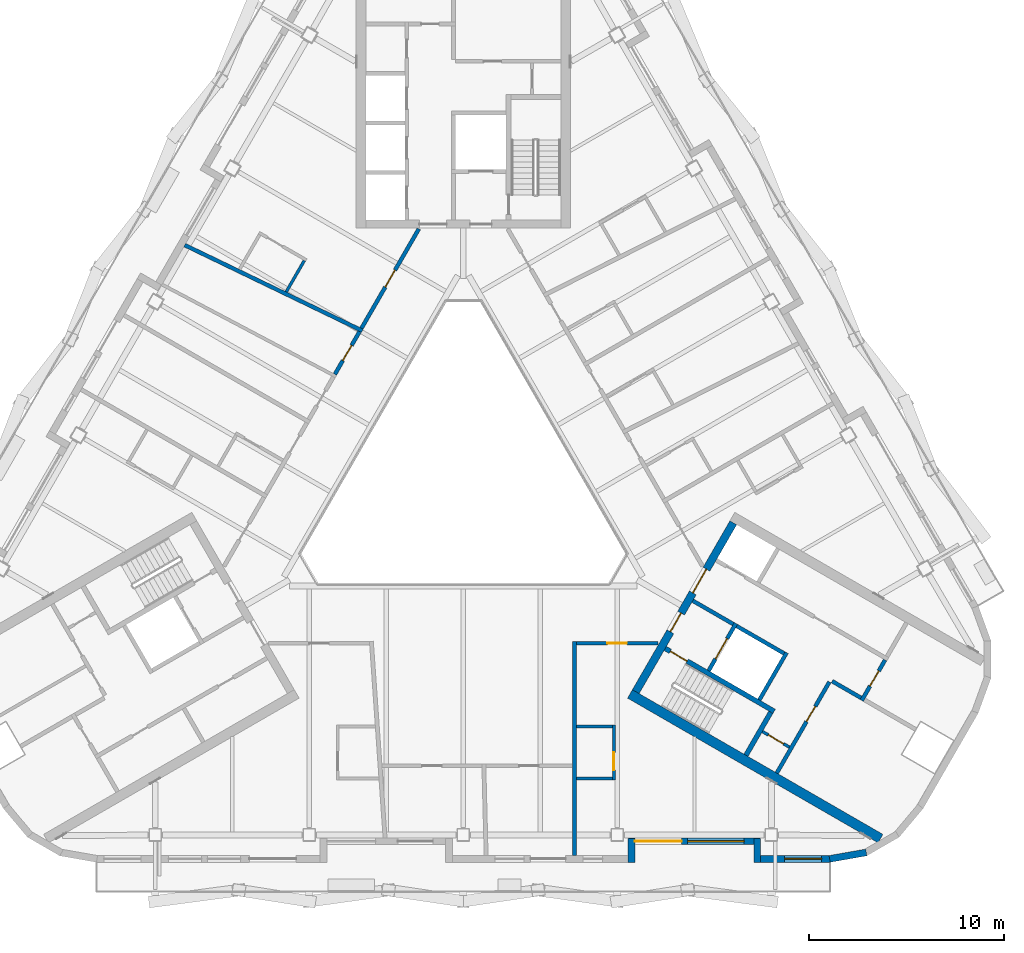
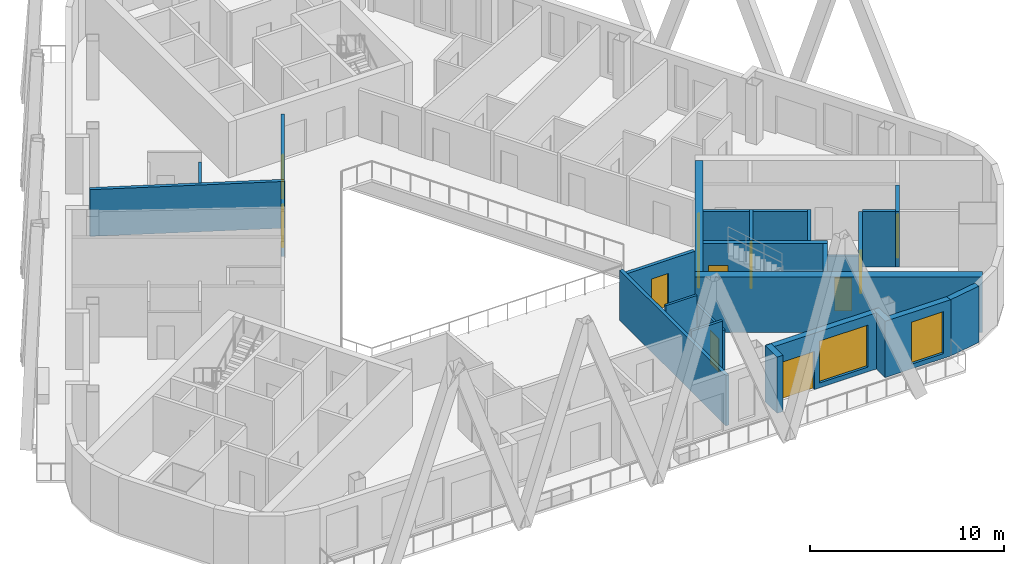
# One storey, part 7 of 18: 26 walls, 12 doors, 2 windows, 14 openings.
"""IFC4 building model written with IfcOpenShell, lengths in metres."""

from ifc_helpers import new_model, si_unit, direction, frame, frame_2d, origin, place, context, subcontext, project, spatial, rectangle, extrude, material, layer, layer_set, type_object, element, fill, save


model = new_model("IFC4")

# Units and contexts
model_context = context("Model", 3, precision=1e-05, world=origin(), true_north=direction((0.0, 1.0)))
body_context = subcontext(model_context, "Body", "Model", "MODEL_VIEW")
ifc_project = project(units=[si_unit("LENGTHUNIT", "METRE"), si_unit("AREAUNIT", "SQUARE_METRE"), si_unit("VOLUMEUNIT", "CUBIC_METRE"), si_unit("PLANEANGLEUNIT", "RADIAN"), si_unit("MASSUNIT", "GRAM", prefix="KILO")], contexts=[model_context])

# Site, building, storey
site_placement = place(None, origin())
site = spatial("IfcSite", under=ifc_project, at=site_placement, CompositionType="ELEMENT")
building_placement = place(site_placement, origin())
building = spatial("IfcBuilding", under=site, at=building_placement, Name="Apuvela Tower Hotel", CompositionType="ELEMENT")
storey_placement = place(building_placement, frame((0.0, 0.0, 246.699951171875)))
storey = spatial("IfcBuildingStorey", under=building, at=storey_placement, Name="L60", CompositionType="ELEMENT", Elevation=246.699951171875)

# Wall, openings, doors
ifc_material_1 = material(Name="Concrete C50/60", Category="concrete")
ifc_layer_1 = layer(ifc_material_1, 0.39990234375)
ifc_layer_set_1 = layer_set([ifc_layer_1], Name="COR-WALL-CORE-400")
wall_type_1 = type_object("IfcWallType", Name="COR-WALL-CORE-400", PredefinedType="SHEAR", material=ifc_layer_set_1)
wall_1_placement = place(storey_placement, frame((8.844970703125, -10.880126953125, 0.0), z_axis=(0.0, 0.0, 1.0), x_axis=(0.500004234368, 0.866022959057, 0.0)))
wall_1 = element("IfcWall", 1, at=wall_1_placement, inside=storey, type_object=wall_type_1, Name="Core wall SE", PredefinedType="SHEAR", context=body_context, shape_type="SweptSolid", body=[
    extrude(rectangle(XDim=10.0, YDim=0.39990234375, at=frame_2d((5.0, 0.0))), origin(), (0.0, 0.0, 1.0), 3.5),
])
opening_1_placement = place(wall_1_placement, frame((3.550048828125, 0.0, 0.0)))
opening_1 = element("IfcOpeningElement", 2, at=opening_1_placement, cuts=wall_1, Name="Opening E-FD", PredefinedType="OPENING", context=body_context, shape_type="SweptSolid", body=[
    extrude(rectangle(XDim=1.10009765625, YDim=2.10009765625, at=frame_2d((0.550048828125, 1.050048828125))), frame((0.0, 0.2099609375, 0.0), z_axis=(0.0, -1.0, 0.0), x_axis=(1.0, 0.0, 0.0)), (0.0, 0.0, 1.0), 0.419921875),
])
opening_2_placement = place(wall_1_placement, frame((5.85009765625, 0.0, 0.0)))
opening_2 = element("IfcOpeningElement", 3, at=opening_2_placement, cuts=wall_1, Name="Opening E-GD", PredefinedType="OPENING", context=body_context, shape_type="SweptSolid", body=[
    extrude(rectangle(XDim=1.39990234375, YDim=2.10009765625, at=frame_2d((0.699951171875, 1.050048828125))), frame((0.0, 0.2099609375, 0.0), z_axis=(0.0, -1.0, 0.0), x_axis=(1.0, 0.0, 0.0)), (0.0, 0.0, 1.0), 0.419921875),
])
ifc_material_2 = material(Name="Steel fire door, powder coated", Category="steel")
door_type_1 = type_object("IfcDoorType", Name="COR-FD-1100", OperationType="NOTDEFINED", PredefinedType="DOOR", material=ifc_material_2)
door_1_placement = place(opening_1_placement, frame((1.10009765625, 0.0, 0.0), z_axis=(0.0, 0.0, 1.0), x_axis=(-1.0, 0.0, 0.0)))
door_1 = element("IfcDoor", 4, at=door_1_placement, inside=storey, type_object=door_type_1, Name="Firefighting lobby door E-FD", OperationType="SINGLE_SWING_LEFT", OverallHeight=2.10009765625, OverallWidth=1.10009765625, PredefinedType="DOOR", context=body_context, shape_type="SweptSolid", body=[
    extrude(rectangle(XDim=1.10009765625, YDim=2.10009765625, at=frame_2d((0.550048828125, 1.050048828125))), frame((0.0, 0.02490234375, 0.0), z_axis=(0.0, -1.0, 0.0), x_axis=(1.0, 0.0, 0.0)), (0.0, 0.0, 1.0), 0.050048828125),
])
fill(opening_1, door_1)
ifc_material_3 = material(Name="Glazed steel fire door", Category="steel")
door_type_2 = type_object("IfcDoorType", Name="COR-GD-1400", OperationType="DOUBLE_DOOR_SINGLE_SWING", PredefinedType="DOOR", material=ifc_material_3)
door_2_placement = place(opening_2_placement, frame((1.39990234375, 0.0, 0.0), z_axis=(0.0, 0.0, 1.0), x_axis=(-1.0, 0.0, 0.0)))
door_2 = element("IfcDoor", 5, at=door_2_placement, inside=storey, type_object=door_type_2, Name="Lift lobby door E-GD", OperationType="DOUBLE_DOOR_SINGLE_SWING", OverallHeight=2.10009765625, OverallWidth=1.39990234375, PredefinedType="DOOR", context=body_context, shape_type="SweptSolid", body=[
    extrude(rectangle(XDim=1.39990234375, YDim=2.10009765625, at=frame_2d((0.699951171875, 1.050048828125))), frame((0.0, 0.02490234375, 0.0), z_axis=(0.0, -1.0, 0.0), x_axis=(1.0, 0.0, 0.0)), (0.0, 0.0, 1.0), 0.050048828125),
])
fill(opening_2, door_2)

# Wall
ifc_layer_2 = layer(ifc_material_1, 0.5)
ifc_layer_set_2 = layer_set([ifc_layer_2], Name="COR-WALL-CORE-500")
wall_type_2 = type_object("IfcWallType", Name="COR-WALL-CORE-500", PredefinedType="SHEAR", material=ifc_layer_set_2)
wall_2_placement = place(storey_placement, frame((8.546630859375, -10.99658203125, 0.0), z_axis=(0.0, 0.0, 1.0), x_axis=(0.866025009528, -0.500000682871, 0.0)))
element("IfcWall", 6, at=wall_2_placement, inside=storey, type_object=wall_type_2, Name="Core wall SE", PredefinedType="SHEAR", context=body_context, shape_type="SweptSolid", body=[
    extrude(rectangle(XDim=14.8369140625, YDim=0.5, at=frame_2d((7.41845703125, 0.0))), origin(), (0.0, 0.0, 1.0), 3.5),
])

# Wall, opening, door
ifc_material_4 = material(Name="Blockwork 150 mm plastered", Category="masonry")
ifc_layer_3 = layer(ifc_material_4, 0.14990234375)
ifc_layer_set_3 = layer_set([ifc_layer_3], Name="COR-WALL-PART-150")
wall_type_3 = type_object("IfcWallType", Name="COR-WALL-PART-150", PredefinedType="PARTITIONING", material=ifc_layer_set_3)
wall_3_placement = place(storey_placement, frame((15.341552734375, -12.927734375, 0.0), z_axis=(0.0, 0.0, 1.0), x_axis=(0.865989903783, -0.500061482766, 0.0)))
wall_3 = element("IfcWall", 7, at=wall_3_placement, inside=storey, type_object=wall_type_3, Name="Partition SE", PredefinedType="PARTITIONING", context=body_context, shape_type="SweptSolid", body=[
    extrude(rectangle(XDim=1.599853515625, YDim=0.14990234375, at=frame_2d((0.7998046875, 0.0))), origin(), (0.0, 0.0, 1.0), 3.5),
])
opening_3_placement = place(wall_3_placement, frame((0.35009765625, 0.0, 0.0)))
opening_3 = element("IfcOpeningElement", 8, at=opening_3_placement, cuts=wall_3, Name="Opening E-RD", PredefinedType="OPENING", context=body_context, shape_type="SweptSolid", body=[
    extrude(rectangle(XDim=0.89990234375, YDim=2.10009765625, at=frame_2d((0.449951171875, 1.050048828125))), frame((0.0, 0.0849609375, 0.0), z_axis=(0.0, -1.0, 0.0), x_axis=(1.0, 0.0, 0.0)), (0.0, 0.0, 1.0), 0.169921875),
])
ifc_material_5 = material(Name="Steel access door, powder coated", Category="steel")
door_type_3 = type_object("IfcDoorType", Name="COR-RD-900", OperationType="NOTDEFINED", PredefinedType="DOOR", material=ifc_material_5)
door_3_placement = place(opening_3_placement, frame((0.89990234375, 0.0, 0.0), z_axis=(0.0, 0.0, 1.0), x_axis=(-1.0, 0.0, 0.0)))
door_3 = element("IfcDoor", 9, at=door_3_placement, inside=storey, type_object=door_type_3, Name="Riser door E-RD", OperationType="SINGLE_SWING_LEFT", OverallHeight=2.10009765625, OverallWidth=0.89990234375, PredefinedType="DOOR", context=body_context, shape_type="SweptSolid", body=[
    extrude(rectangle(XDim=0.89990234375, YDim=2.10009765625, at=frame_2d((0.449951171875, 1.050048828125))), frame((0.0, 0.02490234375, 0.0), z_axis=(0.0, -1.0, 0.0), x_axis=(1.0, 0.0, 0.0)), (0.0, 0.0, 1.0), 0.050048828125),
])
fill(opening_3, door_3)

ifc_material_6 = material(Name="Blockwork 200 mm plastered", Category="masonry")
ifc_layer_4 = layer(ifc_material_6, 0.199951171875)
ifc_layer_set_4 = layer_set([ifc_layer_4], Name="COR-WALL-PART-200")
wall_type_4 = type_object("IfcWallType", Name="COR-WALL-PART-200", PredefinedType="PARTITIONING", material=ifc_layer_set_4)
wall_4_placement = place(storey_placement, frame((16.076171875, -15.05517578125, 0.0), z_axis=(0.0, 0.0, 1.0), x_axis=(0.499995103361, 0.866028230842, 0.0)))
wall_4 = element("IfcWall", 10, at=wall_4_placement, inside=storey, type_object=wall_type_4, Name="Partition SE", PredefinedType="PARTITIONING", context=body_context, shape_type="SweptSolid", body=[
    extrude(rectangle(XDim=5.39990234375, YDim=0.199951171875, at=frame_2d((2.699951171875, 0.0))), origin(), (0.0, 0.0, 1.0), 3.5),
])
opening_4_placement = place(wall_4_placement, frame((3.050048828125, 0.0, 0.0)))
opening_4 = element("IfcOpeningElement", 11, at=opening_4_placement, cuts=wall_4, Name="Opening E-RS1", PredefinedType="OPENING", context=body_context, shape_type="SweptSolid", body=[
    extrude(rectangle(XDim=0.89990234375, YDim=2.10009765625, at=frame_2d((0.449951171875, 1.050048828125))), frame((0.0, 0.10986328125, 0.0), z_axis=(0.0, -1.0, 0.0), x_axis=(1.0, 0.0, 0.0)), (0.0, 0.0, 1.0), 0.219970703125),
])
door_type_4 = type_object("IfcDoorType", Name="COR-DR-900", OperationType="NOTDEFINED", PredefinedType="DOOR", material=ifc_material_2)
door_4_placement = place(opening_4_placement, frame((0.89990234375, 0.0, 0.0), z_axis=(0.0, 0.0, 1.0), x_axis=(-1.0, 0.0, 0.0)))
door_4 = element("IfcDoor", 12, at=door_4_placement, inside=storey, type_object=door_type_4, Name="Store door E-RS1", OperationType="SINGLE_SWING_LEFT", OverallHeight=2.10009765625, OverallWidth=0.89990234375, PredefinedType="DOOR", context=body_context, shape_type="SweptSolid", body=[
    extrude(rectangle(XDim=0.89990234375, YDim=2.10009765625, at=frame_2d((0.449951171875, 1.050048828125))), frame((0.0, 0.02490234375, 0.0), z_axis=(0.0, -1.0, 0.0), x_axis=(1.0, 0.0, 0.0)), (0.0, 0.0, 1.0), 0.050048828125),
])
fill(opening_4, door_4)

# Wall
ifc_layer_5 = layer(ifc_material_1, 0.199951171875)
ifc_layer_set_5 = layer_set([ifc_layer_5], Name="COR-WALL-SHAFT-200")
wall_type_5 = type_object("IfcWallType", Name="COR-WALL-SHAFT-200", PredefinedType="SHEAR", material=ifc_layer_set_5)
wall_5_placement = place(storey_placement, frame((15.181396484375, -11.305419921875, 0.0), z_axis=(0.0, 0.0, 1.0), x_axis=(0.49994636267, 0.866056369097, 0.0)))
element("IfcWall", 13, at=wall_5_placement, inside=storey, type_object=wall_type_5, Name="Shaft wall SE", PredefinedType="SHEAR", context=body_context, shape_type="SweptSolid", body=[
    extrude(rectangle(XDim=2.800048828125, YDim=0.199951171875, at=frame_2d((1.39990234375, 0.0))), origin(), (0.0, 0.0, 1.0), 3.5),
])

# Wall, opening, door
wall_6_placement = place(storey_placement, frame((12.583251953125, -9.805419921875, 0.0), z_axis=(0.0, 0.0, 1.0), x_axis=(0.49994636267, 0.866056369097, 0.0)))
wall_6 = element("IfcWall", 14, at=wall_6_placement, inside=storey, type_object=wall_type_5, Name="Shaft wall SE", PredefinedType="SHEAR", context=body_context, shape_type="SweptSolid", body=[
    extrude(rectangle(XDim=2.800048828125, YDim=0.199951171875, at=frame_2d((1.39990234375, 0.0))), origin(), (0.0, 0.0, 1.0), 3.5),
])
opening_5_placement = place(wall_6_placement, frame((0.699951171875, 0.0, 0.0)))
opening_5 = element("IfcOpeningElement", 15, at=opening_5_placement, cuts=wall_6, Name="Opening E-LD-FS3", PredefinedType="OPENING", context=body_context, shape_type="SweptSolid", body=[
    extrude(rectangle(XDim=1.199951171875, YDim=2.10009765625, at=frame_2d((0.60009765625, 1.050048828125))), frame((0.0, 0.10986328125, 0.0), z_axis=(0.0, -1.0, 0.0), x_axis=(1.0, 0.0, 0.0)), (0.0, 0.0, 1.0), 0.219970703125),
])
ifc_material_7 = material(Name="Stainless steel lift landing door", Category="steel")
door_type_5 = type_object("IfcDoorType", Name="COR-LD-1200", OperationType="DOUBLE_DOOR_SLIDING", PredefinedType="DOOR", material=ifc_material_7)
door_5_placement = place(opening_5_placement, origin())
door_5 = element("IfcDoor", 16, at=door_5_placement, inside=storey, type_object=door_type_5, Name="Lift landing door E-LD-FS3", OperationType="DOUBLE_DOOR_SLIDING", OverallHeight=2.10009765625, OverallWidth=1.199951171875, PredefinedType="DOOR", context=body_context, shape_type="SweptSolid", body=[
    extrude(rectangle(XDim=1.199951171875, YDim=2.10009765625, at=frame_2d((0.60009765625, 1.050048828125))), frame((0.0, 0.02490234375, 0.0), z_axis=(0.0, -1.0, 0.0), x_axis=(1.0, 0.0, 0.0)), (0.0, 0.0, 1.0), 0.050048828125),
])
fill(opening_5, door_5)

# Walls
wall_7_placement = place(storey_placement, frame((11.76806640625, -6.217041015625, 0.0), z_axis=(0.0, 0.0, 1.0), x_axis=(0.866050077142, -0.499957262057, 0.0)))
element("IfcWall", 17, at=wall_7_placement, inside=storey, type_object=wall_type_5, Name="Shaft wall SE", PredefinedType="SHEAR", context=body_context, shape_type="SweptSolid", body=[
    extrude(rectangle(XDim=2.400146484375, YDim=0.199951171875, at=frame_2d((1.2001953125, 0.0))), origin(), (0.0, 0.0, 1.0), 3.5),
])
wall_8_placement = place(storey_placement, frame((14.019775390625, -7.51708984375, 0.0), z_axis=(0.0, 0.0, 1.0), x_axis=(0.866034573852, -0.49998411664, 0.0)))
element("IfcWall", 18, at=wall_8_placement, inside=storey, type_object=wall_type_5, Name="Shaft wall SE", PredefinedType="SHEAR", context=body_context, shape_type="SweptSolid", body=[
    extrude(rectangle(XDim=2.7998046875, YDim=0.199951171875, at=frame_2d((1.39990234375, 0.0))), origin(), (0.0, 0.0, 1.0), 3.5),
])

# Wall, opening, door
wall_9_placement = place(storey_placement, frame((20.430419921875, -11.33349609375, 0.0), z_axis=(0.0, 0.0, 1.0), x_axis=(0.500001309137, 0.866024647952, 0.0)))
wall_9 = element("IfcWall", 19, at=wall_9_placement, inside=storey, type_object=wall_type_5, Name="Shaft wall SE", PredefinedType="SHEAR", context=body_context, shape_type="SweptSolid", body=[
    extrude(rectangle(XDim=2.39990234375, YDim=0.199951171875, at=frame_2d((1.199951171875, 0.0))), origin(), (0.0, 0.0, 1.0), 3.5),
])
opening_6_placement = place(wall_9_placement, frame((0.85009765625, 0.0, 0.0)))
opening_6 = element("IfcOpeningElement", 20, at=opening_6_placement, cuts=wall_9, Name="Opening E-REP", PredefinedType="OPENING", context=body_context, shape_type="SweptSolid", body=[
    extrude(rectangle(XDim=0.89990234375, YDim=2.10009765625, at=frame_2d((0.449951171875, 1.050048828125))), frame((0.0, 0.10986328125, 0.0), z_axis=(0.0, -1.0, 0.0), x_axis=(1.0, 0.0, 0.0)), (0.0, 0.0, 1.0), 0.219970703125),
])
door_6_placement = place(opening_6_placement, frame((0.89990234375, 0.0, 0.0), z_axis=(0.0, 0.0, 1.0), x_axis=(-1.0, 0.0, 0.0)))
door_6 = element("IfcDoor", 21, at=door_6_placement, inside=storey, type_object=door_type_4, Name="Store door E-REP", OperationType="SINGLE_SWING_RIGHT", OverallHeight=2.10009765625, OverallWidth=0.89990234375, PredefinedType="DOOR", context=body_context, shape_type="SweptSolid", body=[
    extrude(rectangle(XDim=0.89990234375, YDim=2.10009765625, at=frame_2d((0.449951171875, 1.050048828125))), frame((0.0, 0.02490234375, 0.0), z_axis=(0.0, -1.0, 0.0), x_axis=(1.0, 0.0, 0.0)), (0.0, 0.0, 1.0), 0.050048828125),
])
fill(opening_6, door_6)

# Wall
wall_10_placement = place(storey_placement, frame((18.912841796875, -10.342041015625, 0.0), z_axis=(0.0, 0.0, 1.0), x_axis=(0.866038183914, -0.499977863513, 0.0)))
element("IfcWall", 22, at=wall_10_placement, inside=storey, type_object=wall_type_5, Name="Shaft wall SE", PredefinedType="SHEAR", context=body_context, shape_type="SweptSolid", body=[
    extrude(rectangle(XDim=1.7099609375, YDim=0.199951171875, at=frame_2d((0.85498046875, 0.0))), origin(), (0.0, 0.0, 1.0), 3.5),
])

# Wall, opening, door
ifc_layer_6 = layer(ifc_material_1, 0.25)
ifc_layer_set_6 = layer_set([ifc_layer_6], Name="COR-WALL-STAIR-250")
wall_type_6 = type_object("IfcWallType", Name="COR-WALL-STAIR-250", PredefinedType="SHEAR", material=ifc_layer_set_6)
wall_11_placement = place(storey_placement, frame((10.355712890625, -8.66357421875, 0.0), z_axis=(0.0, 0.0, 1.0), x_axis=(0.866028629588, -0.499994412703, 0.0)))
wall_11 = element("IfcWall", 23, at=wall_11_placement, inside=storey, type_object=wall_type_6, Name="Stair wall SE", PredefinedType="SHEAR", context=body_context, shape_type="SweptSolid", body=[
    extrude(rectangle(XDim=6.44970703125, YDim=0.25, at=frame_2d((3.224853515625, 0.0))), origin(), (0.0, 0.0, 1.0), 3.5),
])
opening_7_placement = place(wall_11_placement, frame((0.300048828125, 0.0, 0.0)))
opening_7 = element("IfcOpeningElement", 24, at=opening_7_placement, cuts=wall_11, Name="Opening E-SD", PredefinedType="OPENING", context=body_context, shape_type="SweptSolid", body=[
    extrude(rectangle(XDim=1.0, YDim=2.10009765625, at=frame_2d((0.5, 1.050048828125))), frame((0.0, 0.135009765625, 0.0), z_axis=(0.0, -1.0, 0.0), x_axis=(1.0, 0.0, 0.0)), (0.0, 0.0, 1.0), 0.27001953125),
])
door_type_6 = type_object("IfcDoorType", Name="COR-SD-1000", OperationType="NOTDEFINED", PredefinedType="DOOR", material=ifc_material_2)
door_7_placement = place(opening_7_placement, frame((1.0, 0.0, 0.0), z_axis=(0.0, 0.0, 1.0), x_axis=(-1.0, 0.0, 0.0)))
door_7 = element("IfcDoor", 25, at=door_7_placement, inside=storey, type_object=door_type_6, Name="Stair door E-SD", OperationType="SINGLE_SWING_LEFT", OverallHeight=2.10009765625, OverallWidth=1.0, PredefinedType="DOOR", context=body_context, shape_type="SweptSolid", body=[
    extrude(rectangle(XDim=1.0, YDim=2.10009765625, at=frame_2d((0.5, 1.050048828125))), frame((0.0, 0.02490234375, 0.0), z_axis=(0.0, -1.0, 0.0), x_axis=(1.0, 0.0, 0.0)), (0.0, 0.0, 1.0), 0.050048828125),
])
fill(opening_7, door_7)

# Walls
wall_12_placement = place(storey_placement, frame((14.49560546875, -14.142578125, 0.0), z_axis=(0.0, 0.0, 1.0), x_axis=(0.500062241894, 0.865989465428, 0.0)))
element("IfcWall", 26, at=wall_12_placement, inside=storey, type_object=wall_type_6, Name="Stair wall SE", PredefinedType="SHEAR", context=body_context, shape_type="SweptSolid", body=[
    extrude(rectangle(XDim=2.550048828125, YDim=0.25, at=frame_2d((1.27490234375, 0.0))), origin(), (0.0, 0.0, 1.0), 3.5),
])
ifc_material_8 = material(Name="Concrete C40/50, dark pigmented precast panel", Category="concrete")
ifc_layer_7 = layer(ifc_material_8, 0.35009765625)
ifc_layer_set_7 = layer_set([ifc_layer_7], Name="ENV-WALL-350")
wall_type_7 = type_object("IfcWallType", Name="ENV-WALL-350", PredefinedType="SOLIDWALL", material=ifc_layer_set_7)
wall_13_placement = place(storey_placement, frame((8.625, -19.6298828125, 0.0), z_axis=(0.0, 0.0, 1.0), x_axis=(0.0, 1.0, 0.0)))
element("IfcWall", 27, at=wall_13_placement, inside=storey, type_object=wall_type_7, Name="External wall L60-22", PredefinedType="SOLIDWALL", context=body_context, shape_type="SweptSolid", body=[
    extrude(rectangle(XDim=1.219970703125, YDim=0.35009765625, at=frame_2d((0.60986328125, 0.0))), origin(), (0.0, 0.0, 1.0), 3.550048828125),
])

# Wall, openings, door, window
wall_14_placement = place(storey_placement, frame((8.47998046875, -18.554931640625, 0.0), z_axis=(0.0, 0.0, 1.0), x_axis=(1.0, 0.0, 0.0)))
wall_14 = element("IfcWall", 28, at=wall_14_placement, inside=storey, type_object=wall_type_7, Name="External wall L60-23", PredefinedType="SOLIDWALL", context=body_context, shape_type="SweptSolid", body=[
    extrude(rectangle(XDim=6.739990234375, YDim=0.35009765625, at=frame_2d((3.3701171875, 0.0))), origin(), (0.0, 0.0, 1.0), 3.550048828125),
])
opening_8_placement = place(wall_14_placement, frame((0.3203125, 0.0, 0.0)))
opening_8 = element("IfcOpeningElement", 29, at=opening_8_placement, cuts=wall_14, Name="Opening BD24", PredefinedType="OPENING", context=body_context, shape_type="SweptSolid", body=[
    extrude(rectangle(XDim=2.39990234375, YDim=2.39990234375, at=frame_2d((1.199951171875, 1.199951171875))), frame((0.0, 0.18505859375, 0.0), z_axis=(0.0, -1.0, 0.0), x_axis=(1.0, 0.0, 0.0)), (0.0, 0.0, 1.0), 0.3701171875),
])
opening_9_placement = place(wall_14_placement, frame((3.020263671875, 0.0, 0.300048828125)))
opening_9 = element("IfcOpeningElement", 30, at=opening_9_placement, cuts=wall_14, Name="Opening WN29", PredefinedType="OPENING", context=body_context, shape_type="SweptSolid", body=[
    extrude(rectangle(XDim=2.89990234375, YDim=2.64990234375, at=frame_2d((1.449951171875, 1.324951171875))), frame((0.0, 0.18505859375, 0.0), z_axis=(0.0, -1.0, 0.0), x_axis=(1.0, 0.0, 0.0)), (0.0, 0.0, 1.0), 0.3701171875),
])
ifc_material_9 = material(Name="Aluminium 6063-T6, dark bronze anodised frame with dark tinted laminated glass", Category="aluminium")
door_type_7 = type_object("IfcDoorType", Name="ENV-DOOR-BALCONY-2400x2400", OperationType="SLIDING_TO_LEFT", PredefinedType="DOOR", material=ifc_material_9)
door_8_placement = place(opening_8_placement, frame((2.39990234375, 0.0, 0.0), z_axis=(0.0, 0.0, 1.0), x_axis=(-1.0, 0.0, 0.0)))
door_8 = element("IfcDoor", 31, at=door_8_placement, inside=storey, type_object=door_type_7, Name="Balcony door BD24", OperationType="SLIDING_TO_LEFT", OverallHeight=2.39990234375, OverallWidth=2.39990234375, PredefinedType="DOOR", context=body_context, shape_type="SweptSolid", body=[
    extrude(rectangle(XDim=2.39990234375, YDim=2.39990234375, at=frame_2d((1.199951171875, 1.199951171875))), frame((0.0, 0.02490234375, 0.0), z_axis=(0.0, -1.0, 0.0), x_axis=(1.0, 0.0, 0.0)), (0.0, 0.0, 1.0), 0.050048828125),
])
fill(opening_8, door_8)
ifc_material_10 = material(Name="Glass, dark tinted laminated insulated glazing unit", Category="glass")
window_type_1 = type_object("IfcWindowType", Name="ENV-WIN-2900x2650", PartitioningType="SINGLE_PANEL", PredefinedType="WINDOW", material=ifc_material_10)
window_1_placement = place(opening_9_placement, origin())
window_1 = element("IfcWindow", 32, at=window_1_placement, inside=storey, type_object=window_type_1, Name="Window WN29", OverallHeight=2.64990234375, OverallWidth=2.89990234375, PartitioningType="SINGLE_PANEL", PredefinedType="WINDOW", context=body_context, shape_type="SweptSolid", body=[
    extrude(rectangle(XDim=2.89990234375, YDim=2.64990234375, at=frame_2d((1.449951171875, 1.324951171875))), frame((0.0, 0.030029296875, 0.0), z_axis=(0.0, -1.0, 0.0), x_axis=(1.0, 0.0, 0.0)), (0.0, 0.0, 1.0), 0.06005859375),
])
fill(opening_9, window_1)

# Wall
wall_15_placement = place(storey_placement, frame((15.074951171875, -18.409912109375, 0.0), z_axis=(0.0, 0.0, 1.0), x_axis=(0.0, -1.0, 0.0)))
element("IfcWall", 33, at=wall_15_placement, inside=storey, type_object=wall_type_7, Name="External wall L60-24", PredefinedType="SOLIDWALL", context=body_context, shape_type="SweptSolid", body=[
    extrude(rectangle(XDim=1.219970703125, YDim=0.35009765625, at=frame_2d((0.60986328125, 0.0))), origin(), (0.0, 0.0, 1.0), 3.550048828125),
])

# Wall, opening, window
wall_16_placement = place(storey_placement, frame((14.89990234375, -19.455078125, 0.0), z_axis=(0.0, 0.0, 1.0), x_axis=(1.0, 0.0, 0.0)))
wall_16 = element("IfcWall", 34, at=wall_16_placement, inside=storey, type_object=wall_type_7, Name="External wall L60-25", PredefinedType="SOLIDWALL", context=body_context, shape_type="SweptSolid", body=[
    extrude(rectangle(XDim=3.916015625, YDim=0.35009765625, at=frame_2d((1.9580078125, 0.0))), origin(), (0.0, 0.0, 1.0), 3.550048828125),
])
opening_10_placement = place(wall_16_placement, frame((1.574951171875, 0.0, 0.300048828125)))
opening_10 = element("IfcOpeningElement", 35, at=opening_10_placement, cuts=wall_16, Name="Opening WN19", PredefinedType="OPENING", context=body_context, shape_type="SweptSolid", body=[
    extrude(rectangle(XDim=1.89990234375, YDim=2.64990234375, at=frame_2d((0.949951171875, 1.324951171875))), frame((0.0, 0.18505859375, 0.0), z_axis=(0.0, -1.0, 0.0), x_axis=(1.0, 0.0, 0.0)), (0.0, 0.0, 1.0), 0.3701171875),
])
window_type_2 = type_object("IfcWindowType", Name="ENV-WIN-1900x2650", PartitioningType="SINGLE_PANEL", PredefinedType="WINDOW", material=ifc_material_10)
window_2_placement = place(opening_10_placement, origin())
window_2 = element("IfcWindow", 36, at=window_2_placement, inside=storey, type_object=window_type_2, Name="Window WN19", OverallHeight=2.64990234375, OverallWidth=1.89990234375, PartitioningType="SINGLE_PANEL", PredefinedType="WINDOW", context=body_context, shape_type="SweptSolid", body=[
    extrude(rectangle(XDim=1.89990234375, YDim=2.64990234375, at=frame_2d((0.949951171875, 1.324951171875))), frame((0.0, 0.030029296875, 0.0), z_axis=(0.0, -1.0, 0.0), x_axis=(1.0, 0.0, 0.0)), (0.0, 0.0, 1.0), 0.06005859375),
])
fill(opening_10, window_2)

# Walls
wall_17_placement = place(storey_placement, frame((18.785400390625, -19.457763671875, 0.0), z_axis=(0.0, 0.0, 1.0), x_axis=(0.984798995425, 0.173697837091, 0.0)))
element("IfcWall", 37, at=wall_17_placement, inside=storey, type_object=wall_type_7, Name="External wall L60-26", PredefinedType="SOLIDWALL", context=body_context, shape_type="SweptSolid", body=[
    extrude(rectangle(XDim=1.91015625, YDim=0.35009765625, at=frame_2d((0.955078125, 0.0))), origin(), (0.0, 0.0, 1.0), 3.550048828125),
])
ifc_material_11 = material(Name="Gypsum board partition on twin steel stud", Category="steel")
ifc_layer_8 = layer(ifc_material_11, 0.199951171875)
ifc_layer_set_8 = layer_set([ifc_layer_8], Name="GST-PW1")
wall_type_8 = type_object("IfcWallType", Name="GST-PW1", PredefinedType="PARTITIONING", material=ifc_layer_set_8)
wall_18_placement = place(storey_placement, frame((5.699951171875, -19.280029296875, 0.0), z_axis=(0.0, 0.0, 1.0), x_axis=(0.0, 1.0, 0.0)))
element("IfcWall", 38, at=wall_18_placement, inside=storey, type_object=wall_type_8, Name="L60 partition 03", PredefinedType="PARTITIONING", context=body_context, shape_type="SweptSolid", body=[
    extrude(rectangle(XDim=10.97998046875, YDim=0.199951171875, at=frame_2d((5.489990234375, 0.0))), origin(), (0.0, 0.0, 1.0), 3.16015625),
])
wall_19_placement = place(storey_placement, frame((-14.2841796875, 12.01904296875, 0.0), z_axis=(0.0, 0.0, 1.0), x_axis=(0.90065661155, -0.434531550144, 0.0)))
element("IfcWall", 39, at=wall_19_placement, inside=storey, type_object=wall_type_8, Name="L60 partition 08", PredefinedType="PARTITIONING", context=body_context, shape_type="SweptSolid", body=[
    extrude(rectangle(XDim=10.107666015625, YDim=0.199951171875, at=frame_2d((5.0537109375, 0.0))), origin(), (0.0, 0.0, 1.0), 2.949951171875),
])

# Wall, opening, door
ifc_material_12 = material(Name="Gypsum board corridor wall on twin steel stud, acoustic", Category="steel")
ifc_layer_9 = layer(ifc_material_12, 0.199951171875)
ifc_layer_set_9 = layer_set([ifc_layer_9], Name="GST-PW2")
wall_type_9 = type_object("IfcWallType", Name="GST-PW2", PredefinedType="PARTITIONING", material=ifc_layer_set_9)
wall_20_placement = place(storey_placement, frame((9.98828125, -8.39990234375, 0.0), z_axis=(0.0, 0.0, 1.0), x_axis=(-1.0, 0.0, 0.0)))
wall_20 = element("IfcWall", 40, at=wall_20_placement, inside=storey, type_object=wall_type_9, Name="L60 partition 17", PredefinedType="PARTITIONING", context=body_context, shape_type="SweptSolid", body=[
    extrude(rectangle(XDim=4.188232421875, YDim=0.199951171875, at=frame_2d((2.09423828125, 0.0))), origin(), (0.0, 0.0, 1.0), 2.949951171875),
])
opening_11_placement = place(wall_20_placement, frame((1.593994140625, 0.0, 0.0)))
opening_11 = element("IfcOpeningElement", 41, at=opening_11_placement, cuts=wall_20, Name="Opening GD23-06", PredefinedType="OPENING", context=body_context, shape_type="SweptSolid", body=[
    extrude(rectangle(XDim=1.0, YDim=2.10009765625, at=frame_2d((0.5, 1.050048828125))), frame((0.0, 0.10986328125, 0.0), z_axis=(0.0, -1.0, 0.0), x_axis=(1.0, 0.0, 0.0)), (0.0, 0.0, 1.0), 0.219970703125),
])
ifc_material_13 = material(Name="Timber door leaf in steel frame", Category="steel")
door_type_8 = type_object("IfcDoorType", Name="GST-D1", OperationType="NOTDEFINED", PredefinedType="DOOR", material=ifc_material_13)
door_9_placement = place(opening_11_placement, origin())
door_9 = element("IfcDoor", 42, at=door_9_placement, inside=storey, type_object=door_type_8, Name="Door L60-06", OperationType="SINGLE_SWING_RIGHT", OverallHeight=2.10009765625, OverallWidth=1.0, PredefinedType="DOOR", context=body_context, shape_type="SweptSolid", body=[
    extrude(rectangle(XDim=1.0, YDim=2.10009765625, at=frame_2d((0.5, 1.050048828125))), frame((0.0, 0.02490234375, 0.0), z_axis=(0.0, -1.0, 0.0), x_axis=(1.0, 0.0, 0.0)), (0.0, 0.0, 1.0), 0.050048828125),
])
fill(opening_11, door_9)

wall_21_placement = place(storey_placement, frame((-5.220703125, 7.75732421875, 0.0), z_axis=(0.0, 0.0, 1.0), x_axis=(0.49998360248, 0.86603487069, 0.0)))
wall_21 = element("IfcWall", 43, at=wall_21_placement, inside=storey, type_object=wall_type_9, Name="L60 partition 38", PredefinedType="PARTITIONING", context=body_context, shape_type="SweptSolid", body=[
    extrude(rectangle(XDim=5.880615234375, YDim=0.199951171875, at=frame_2d((2.9404296875, 0.0))), origin(), (0.0, 0.0, 1.0), 2.949951171875),
])
opening_12_placement = place(wall_21_placement, frame((2.440185546875, 0.0, 0.0)))
opening_12 = element("IfcOpeningElement", 44, at=opening_12_placement, cuts=wall_21, Name="Opening GD23-18", PredefinedType="OPENING", context=body_context, shape_type="SweptSolid", body=[
    extrude(rectangle(XDim=1.0, YDim=2.10009765625, at=frame_2d((0.5, 1.050048828125))), frame((0.0, 0.10986328125, 0.0), z_axis=(0.0, -1.0, 0.0), x_axis=(1.0, 0.0, 0.0)), (0.0, 0.0, 1.0), 0.219970703125),
])
door_10_placement = place(opening_12_placement, origin())
door_10 = element("IfcDoor", 45, at=door_10_placement, inside=storey, type_object=door_type_8, Name="Door L60-18", OperationType="SINGLE_SWING_LEFT", OverallHeight=2.10009765625, OverallWidth=1.0, PredefinedType="DOOR", context=body_context, shape_type="SweptSolid", body=[
    extrude(rectangle(XDim=1.0, YDim=2.10009765625, at=frame_2d((0.5, 1.050048828125))), frame((0.0, 0.02490234375, 0.0), z_axis=(0.0, -1.0, 0.0), x_axis=(1.0, 0.0, 0.0)), (0.0, 0.0, 1.0), 0.050048828125),
])
fill(opening_12, door_10)

wall_22_placement = place(storey_placement, frame((-6.585205078125, 5.39404296875, 0.0), z_axis=(0.0, 0.0, 1.0), x_axis=(0.499981564561, 0.866036047228, 0.0)))
wall_22 = element("IfcWall", 46, at=wall_22_placement, inside=storey, type_object=wall_type_9, Name="L60 partition 43", PredefinedType="PARTITIONING", context=body_context, shape_type="SweptSolid", body=[
    extrude(rectangle(XDim=2.5283203125, YDim=0.199951171875, at=frame_2d((1.26416015625, 0.0))), origin(), (0.0, 0.0, 1.0), 2.949951171875),
])
opening_13_placement = place(wall_22_placement, frame((0.814208984375, 0.0, 0.0)))
opening_13 = element("IfcOpeningElement", 47, at=opening_13_placement, cuts=wall_22, Name="Opening GD23-19", PredefinedType="OPENING", context=body_context, shape_type="SweptSolid", body=[
    extrude(rectangle(XDim=0.89990234375, YDim=2.10009765625, at=frame_2d((0.449951171875, 1.050048828125))), frame((0.0, 0.10986328125, 0.0), z_axis=(0.0, -1.0, 0.0), x_axis=(1.0, 0.0, 0.0)), (0.0, 0.0, 1.0), 0.219970703125),
])
door_type_9 = type_object("IfcDoorType", Name="GST-D2", OperationType="NOTDEFINED", PredefinedType="DOOR", material=ifc_material_13)
door_11_placement = place(opening_13_placement, origin())
door_11 = element("IfcDoor", 48, at=door_11_placement, inside=storey, type_object=door_type_9, Name="Door L60-19", OperationType="SINGLE_SWING_LEFT", OverallHeight=2.10009765625, OverallWidth=0.89990234375, PredefinedType="DOOR", context=body_context, shape_type="SweptSolid", body=[
    extrude(rectangle(XDim=0.89990234375, YDim=2.10009765625, at=frame_2d((0.449951171875, 1.050048828125))), frame((0.0, 0.02490234375, 0.0), z_axis=(0.0, -1.0, 0.0), x_axis=(1.0, 0.0, 0.0)), (0.0, 0.0, 1.0), 0.050048828125),
])
fill(opening_13, door_11)

ifc_material_14 = material(Name="Moisture-resistant gypsum board wet wall on steel stud", Category="steel")
ifc_layer_10 = layer(ifc_material_14, 0.14990234375)
ifc_layer_set_10 = layer_set([ifc_layer_10], Name="GST-PW3")
wall_type_10 = type_object("IfcWallType", Name="GST-PW3", PredefinedType="PARTITIONING", material=ifc_layer_set_10)
wall_23_placement = place(storey_placement, frame((7.72509765625, -15.39990234375, 0.0), z_axis=(0.0, 0.0, 1.0), x_axis=(0.0, 1.0, 0.0)))
wall_23 = element("IfcWall", 49, at=wall_23_placement, inside=storey, type_object=wall_type_10, Name="L60 partition 18", PredefinedType="PARTITIONING", context=body_context, shape_type="SweptSolid", body=[
    extrude(rectangle(XDim=2.7998046875, YDim=0.14990234375, at=frame_2d((1.39990234375, 0.0))), origin(), (0.0, 0.0, 1.0), 2.949951171875),
])
opening_14_placement = place(wall_23_placement, frame((0.5, 0.0, 0.0)))
opening_14 = element("IfcOpeningElement", 50, at=opening_14_placement, cuts=wall_23, Name="Opening GD23-05", PredefinedType="OPENING", context=body_context, shape_type="SweptSolid", body=[
    extrude(rectangle(XDim=0.89990234375, YDim=2.10009765625, at=frame_2d((0.449951171875, 1.050048828125))), frame((0.0, 0.0849609375, 0.0), z_axis=(0.0, -1.0, 0.0), x_axis=(1.0, 0.0, 0.0)), (0.0, 0.0, 1.0), 0.169921875),
])
door_12_placement = place(opening_14_placement, origin())
door_12 = element("IfcDoor", 51, at=door_12_placement, inside=storey, type_object=door_type_9, Name="Door L60-05", OperationType="SINGLE_SWING_LEFT", OverallHeight=2.10009765625, OverallWidth=0.89990234375, PredefinedType="DOOR", context=body_context, shape_type="SweptSolid", body=[
    extrude(rectangle(XDim=0.89990234375, YDim=2.10009765625, at=frame_2d((0.449951171875, 1.050048828125))), frame((0.0, 0.02490234375, 0.0), z_axis=(0.0, -1.0, 0.0), x_axis=(1.0, 0.0, 0.0)), (0.0, 0.0, 1.0), 0.050048828125),
])
fill(opening_14, door_12)

# Walls
for number, where, z_axis, x_axis, name in (
    (52, (5.800048828125, -15.324951171875, 0.0), (0.0, 0.0, 1.0), (1.0, 0.0, 0.0), "L60 partition 19"),
    (53, (5.800048828125, -12.675048828125, 0.0), (0.0, 0.0, 1.0), (1.0, 0.0, 0.0), "L60 partition 20"),
):
    element("IfcWall", number, at=place(storey_placement, frame(where, z_axis=z_axis, x_axis=x_axis)), inside=storey, type_object=wall_type_10, Name=name, PredefinedType="PARTITIONING", context=body_context, shape_type="SweptSolid", body=[
        extrude(rectangle(XDim=1.849853515625, YDim=0.14990234375, at=frame_2d((0.9248046875, 0.0))), origin(), (0.0, 0.0, 1.0), 3.550048828125),
    ])
wall_24_placement = place(storey_placement, frame((-8.15380859375, 11.22705078125, 0.0), z_axis=(0.0, 0.0, 1.0), x_axis=(-0.500086883948, -0.865975235502, 0.0)))
element("IfcWall", 54, at=wall_24_placement, inside=storey, type_object=wall_type_10, Name="L60 partition 41", PredefinedType="PARTITIONING", context=body_context, shape_type="SweptSolid", body=[
    extrude(rectangle(XDim=1.855712890625, YDim=0.14990234375, at=frame_2d((0.927734375, 0.0))), origin(), (0.0, 0.0, 1.0), 2.949951171875),
])

save(model, "model.ifc")
